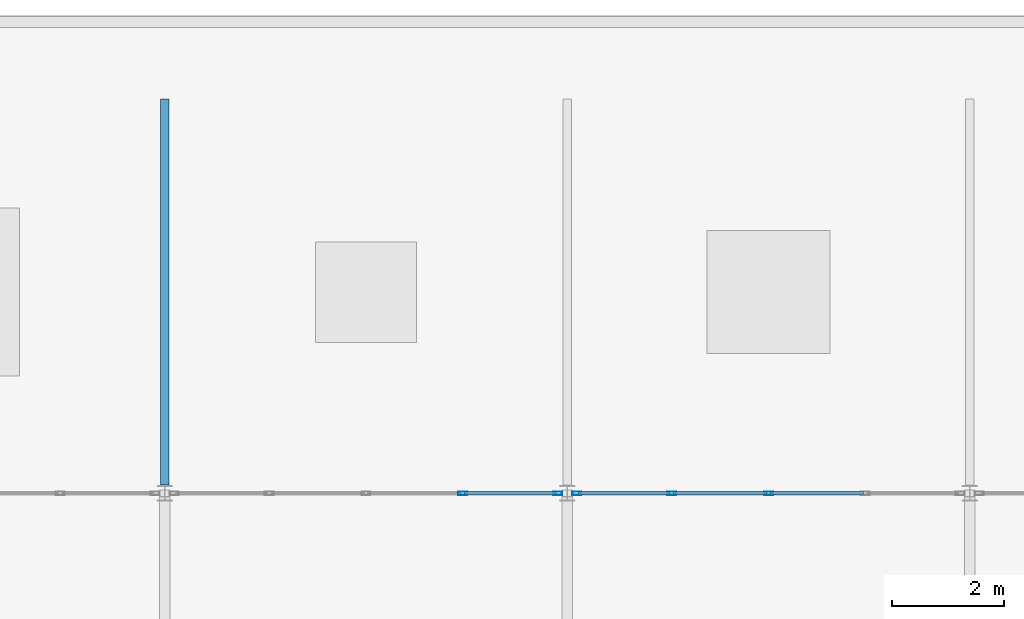
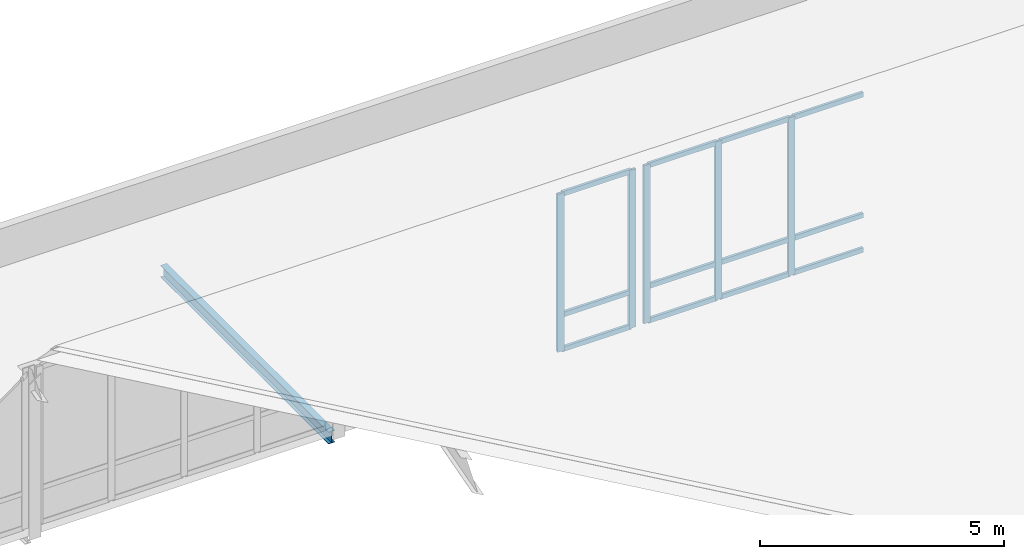
# One storey, part 84 of 157: 17 members, 1 beam, 2 elements without a shape of their own.
"""IFC4 building model written with IfcOpenShell, lengths in metres."""

import ifcopenshell
import ifcopenshell.guid

model = None  # the IFC model being written
_history = None  # IfcOwnerHistory: only IFC2X3 demands one
_inside = {}  # id of a spatial element -> (the spatial element, [elements in it])
_under = {}  # id of a project, library or spatial element -> (it, [spatial elements below it])
_declared = {}  # id of a project -> (the project, [libraries it declares])
_typed = {}  # id of a type object -> (the type object, [elements of that type])
_made_of = {}  # id of a material, layer set ... -> (it, [elements and type objects made of it])


def new_model(schema):
    """Start an empty IFC model of exactly this schema.

    Asked for "IFC4X3", IfcOpenShell would pick the latest addendum, in which some entities
    have other attributes; the version numbers below select the first issue.
    IFC2X3 requires an IfcOwnerHistory on every rooted entity: one is made here for all.
    """
    global model, _history
    if schema == "IFC4X3":
        model = ifcopenshell.file(schema_version=(4, 3, 0, 0))
    else:
        model = ifcopenshell.file(schema=schema)
    _inside.clear()
    _under.clear()
    _declared.clear()
    _typed.clear()
    _made_of.clear()
    _history = None
    if model.schema == "IFC2X3":
        org = make("IfcOrganization", Name="unknown")
        user = make(
            "IfcPersonAndOrganization",
            ThePerson=make("IfcPerson", FamilyName="unknown"),
            TheOrganization=org,
        )
        app = make(
            "IfcApplication",
            ApplicationDeveloper=org,
            Version="unknown",
            ApplicationFullName="unknown",
            ApplicationIdentifier="unknown",
        )
        _history = make(
            "IfcOwnerHistory",
            OwningUser=user,
            OwningApplication=app,
            ChangeAction="ADDED",
            CreationDate=0,
        )
    return model


def make(cls, **values):
    """One entity of the class cls with the attributes given. An attribute that is None is left unset."""
    return model.create_entity(
        cls, **{name: value for name, value in values.items() if value is not None}
    )


def rooted(cls, **values):
    """An entity with a GlobalId (a new one), such as an element, a storey or a relation."""
    return make(cls, GlobalId=ifcopenshell.guid.new(), OwnerHistory=_history, **values)


def si_unit(unit_type, name, prefix=None):
    """IfcSIUnit, for example si_unit("LENGTHUNIT", "METRE", prefix="MILLI")."""
    return make("IfcSIUnit", UnitType=unit_type, Prefix=prefix, Name=name)


def assignment(units):
    """IfcUnitAssignment: the units of a project."""
    return None if units is None else make("IfcUnitAssignment", Units=units)


def point(xyz):
    """IfcCartesianPoint."""
    return None if xyz is None else make("IfcCartesianPoint", Coordinates=xyz)


def direction(xyz):
    """IfcDirection."""
    return None if xyz is None else make("IfcDirection", DirectionRatios=xyz)


def frame(location, z_axis=None, x_axis=None):
    """IfcAxis2Placement3D, a coordinate frame: its origin and axes. An axis left out is left unset."""
    return make(
        "IfcAxis2Placement3D",
        Location=point(location),
        Axis=direction(z_axis),
        RefDirection=direction(x_axis),
    )


def frame_2d(location, x_axis=None):
    """IfcAxis2Placement2D, a coordinate frame in the plane: its origin and x axis."""
    return make(
        "IfcAxis2Placement2D", Location=point(location), RefDirection=direction(x_axis)
    )


def origin():
    """The frame at (0, 0, 0) with its axes left unset."""
    return frame((0.0, 0.0, 0.0))


def origin_2d():
    """The frame at (0, 0) in the plane with its x axis left unset."""
    return frame_2d((0.0, 0.0))


def place(relative_to, where):
    """IfcLocalPlacement: puts the frame where relative to a parent placement (None: the world)."""
    return make(
        "IfcLocalPlacement", PlacementRelTo=relative_to, RelativePlacement=where
    )


def context(
    kind, dimensions, precision=None, world=None, true_north=None, identifier=None
):
    """IfcGeometricRepresentationContext, for example the 3D "Model" context."""
    return make(
        "IfcGeometricRepresentationContext",
        ContextIdentifier=identifier,
        ContextType=kind,
        CoordinateSpaceDimension=dimensions,
        Precision=precision,
        WorldCoordinateSystem=world,
        TrueNorth=true_north,
    )


def subcontext(parent, identifier, kind, view, scale=None):
    """IfcGeometricRepresentationSubContext, for example "Body" below "Model"."""
    return make(
        "IfcGeometricRepresentationSubContext",
        ContextIdentifier=identifier,
        ContextType=kind,
        ParentContext=parent,
        TargetScale=scale,
        TargetView=view,
    )


def project(units=None, contexts=None):
    """IfcProject with its units and contexts."""
    return rooted(
        "IfcProject",
        Name="project",
        RepresentationContexts=contexts,
        UnitsInContext=assignment(units),
    )


def spatial(cls, under=None, at=None, **own):
    """A site, building, storey or space (cls), placed at a placement, below another one or the project."""
    s = rooted(cls, ObjectPlacement=at, **own)
    if under is not None:
        _under.setdefault(under.id(), (under, []))[1].append(s)
    return s


def profile(cls, at=None, kind="AREA", **sizes):
    """A parametric profile (cls). Its sizes go by their IFC names, for example OverallWidth=200.0."""
    return make(cls, ProfileType=kind, Position=at, **sizes)


def hollow_rectangle(**sizes):
    """IfcRectangleHollowProfileDef."""
    return profile("IfcRectangleHollowProfileDef", **sizes)


def i_section(**sizes):
    """IfcIShapeProfileDef."""
    return profile("IfcIShapeProfileDef", **sizes)


def extrude(swept, where, along, depth):
    """IfcExtrudedAreaSolid: the profile swept, set in the frame where, extruded along a direction by depth."""
    return make(
        "IfcExtrudedAreaSolid",
        SweptArea=swept,
        Position=where,
        ExtrudedDirection=direction(along),
        Depth=depth,
    )


def shape(context_of_items, identifier, shape_type, items):
    """IfcShapeRepresentation: the items that make up one representation, for example the "Body"."""
    return make(
        "IfcShapeRepresentation",
        ContextOfItems=context_of_items,
        RepresentationIdentifier=identifier,
        RepresentationType=shape_type,
        Items=items,
    )


def material(Name=None, Category=None):
    """IfcMaterial."""
    return make("IfcMaterial", Name=Name, Category=Category)


def material_profile(
    of_material, cross_section, Name=None, Category=None, Priority=None
):
    """IfcMaterialProfile: a cross section and its material."""
    return make(
        "IfcMaterialProfile",
        Name=Name,
        Material=of_material,
        Profile=cross_section,
        Priority=Priority,
        Category=Category,
    )


def profile_set(profiles, Name=None, composite=None):
    """IfcMaterialProfileSet."""
    return make(
        "IfcMaterialProfileSet",
        Name=Name,
        MaterialProfiles=profiles,
        CompositeProfile=composite,
    )


def made_of(thing, what):
    """Note that an element or type object is made of a material, layer set ...; save() writes the relation."""
    if what is not None:
        _made_of.setdefault(what.id(), (what, []))[1].append(thing)
    return thing


def type_object(cls, material=None, **own):
    """A type object (cls), such as IfcWallType, which elements share."""
    return made_of(rooted(cls, **own), material)


def element(
    cls,
    number,
    at=None,
    inside=None,
    cuts=None,
    type_object=None,
    material=None,
    context=None,
    identifier="Body",
    shape_type=None,
    held_by="IfcProductDefinitionShape",
    body=None,
    shapes=None,
    **own,
):
    """One element of the class cls, such as IfcWall. Its Tag is "e" and its number.

    at: its placement. inside: the storey or other place that contains it. cuts: it is an
    opening in that element (IfcRelVoidsElement). A single representation is given by context,
    identifier, shape_type and body (its items); several are given by shapes. held_by: the class
    of the entity that holds the representations. save() writes the other relations.
    """
    e = rooted(cls, Tag="e%d" % number, ObjectPlacement=at, **own)
    if body is not None:
        shapes = [shape(context, identifier, shape_type, body)]
    if shapes is not None:
        e.Representation = make(held_by, Representations=shapes)
    if inside is not None:
        _inside.setdefault(inside.id(), (inside, []))[1].append(e)
    if cuts is not None:
        rooted(
            "IfcRelVoidsElement", RelatingBuildingElement=cuts, RelatedOpeningElement=e
        )
    if type_object is not None:
        _typed.setdefault(type_object.id(), (type_object, []))[1].append(e)
    return made_of(e, material)


def aggregate(whole, parts):
    """IfcRelAggregates: a whole, such as a stair, and the parts it consists of."""
    return rooted("IfcRelAggregates", RelatingObject=whole, RelatedObjects=parts)


def save(model, path):
    """Write the relations noted so far, then the file.

    IfcRelAggregates (storeys below a building ...), IfcRelContainedInSpatialStructure (elements
    in a storey), IfcRelDefinesByType, IfcRelAssociatesMaterial and IfcRelDeclares: one each for
    every whole, place, type object, material and project.
    """
    for whole, parts in _under.values():
        aggregate(whole, parts)
    for where, things in _inside.values():
        rooted(
            "IfcRelContainedInSpatialStructure",
            RelatedElements=things,
            RelatingStructure=where,
        )
    for kind, things in _typed.values():
        rooted("IfcRelDefinesByType", RelatedObjects=things, RelatingType=kind)
    for what, things in _made_of.values():
        rooted("IfcRelAssociatesMaterial", RelatedObjects=things, RelatingMaterial=what)
    for by, libraries in _declared.values():
        rooted("IfcRelDeclares", RelatingContext=by, RelatedDefinitions=libraries)
    model.write(path)


model = new_model("IFC4")

# Units and contexts
model_context = context("Model", 3, precision=1e-05, world=origin(), true_north=direction((0.0, 1.0)))
body_context = subcontext(model_context, "Body", "Model", "MODEL_VIEW")
ifc_project = project(units=[si_unit("LENGTHUNIT", "METRE"), si_unit("AREAUNIT", "SQUARE_METRE"), si_unit("VOLUMEUNIT", "CUBIC_METRE"), si_unit("PLANEANGLEUNIT", "RADIAN"), si_unit("MASSUNIT", "GRAM", prefix="KILO")], contexts=[model_context])

# Site, building, storey
site_placement = place(None, origin())
site = spatial("IfcSite", under=ifc_project, at=site_placement, CompositionType="ELEMENT")
building_placement = place(site_placement, origin())
building = spatial("IfcBuilding", under=site, at=building_placement, Name="Suanplinth Sawtooth Commons", CompositionType="ELEMENT")
storey_placement = place(building_placement, frame((0.0, 0.0, 9.0)))
storey = spatial("IfcBuildingStorey", under=building, at=storey_placement, Name="L02", CompositionType="ELEMENT", Elevation=9.0)

# Beam
ifc_material_1 = material(Name="Steel S355JR", Category="steel")
ifc_material_profile_1 = material_profile(ifc_material_1, i_section(OverallWidth=0.14990234375, OverallDepth=0.300048828125, WebThickness=0.007080078125, FlangeThickness=0.0107421875, at=origin_2d()), Name="IPE 300")
ifc_profile_set_1 = profile_set([ifc_material_profile_1], Name="Steel S355JR")
beam_type = type_object("IfcBeamType", Name="B-13", PredefinedType="BEAM", material=ifc_profile_set_1)
beam_placement = place(storey_placement, frame((144.0, 64.949951171875, -0.14990234375), z_axis=(0.0, 1.0, 0.0), x_axis=(-1.0, 0.0, 0.0)))
element("IfcBeam", 1, at=beam_placement, inside=storey, type_object=beam_type, Name="BMY-L02-NURS-FLAT-20", PredefinedType="BEAM", context=body_context, shape_type="SweptSolid", body=[
    extrude(i_section(OverallWidth=0.14990234375, OverallDepth=0.300048828125, WebThickness=0.007080078125, FlangeThickness=0.0107421875, at=origin_2d()), origin(), (0.0, 0.0, 1.0), 6.900146484375),
])

# Curtain wall, members
ifc_material_2 = material(Name="Anodized aluminium and low-E glazing", Category="aluminium")
curtain_wall_type = type_object("IfcCurtainWallType", Name="CW-03", PredefinedType="USERDEFINED", material=ifc_material_2)
curtain_wall_1_placement = place(storey_placement, origin())
curtain_wall_1 = element("IfcCurtainWall", 2, at=curtain_wall_1_placement, inside=storey, type_object=curtain_wall_type, Name="Curtain Wall CW-NURS-CLER-20", ObjectType="CURTAIN WALL", PredefinedType="USERDEFINED")
ifc_material_3 = material(Name="Anodized aluminium 6063-T6", Category="aluminium")
ifc_material_profile_2 = material_profile(ifc_material_3, hollow_rectangle(XDim=0.06494140625, YDim=0.159912109375, WallThickness=0.00390625, at=origin_2d()), Name="ALU-MUL 65x160")
ifc_profile_set_2 = profile_set([ifc_material_profile_2], Name="Anodized aluminium 6063-T6")
member_type_1 = type_object("IfcMemberType", Name="M-13", PredefinedType="MULLION", material=ifc_profile_set_2)
member_1_placement = place(storey_placement, frame((149.330078125, 64.800048828125, 0.239990234375), z_axis=(0.0, 0.0, 1.0), x_axis=(0.0, 1.0, 0.0)))
member_1 = element("IfcMember", 3, at=member_1_placement, type_object=member_type_1, Name="CW-03 mullion 4", PredefinedType="MULLION", context=body_context, shape_type="SweptSolid", body=[
    extrude(hollow_rectangle(XDim=0.06494140625, YDim=0.159912109375, WallThickness=0.00390625, at=origin_2d()), origin(), (0.0, 0.0, 1.0), 3.9599609375),
])
member_2_placement = place(storey_placement, frame((151.027587890625, 64.800048828125, 0.239990234375), z_axis=(0.0, 0.0, 1.0), x_axis=(0.0, 1.0, 0.0)))
member_2 = element("IfcMember", 4, at=member_2_placement, type_object=member_type_1, Name="CW-03 mullion 5", PredefinedType="MULLION", context=body_context, shape_type="SweptSolid", body=[
    extrude(hollow_rectangle(XDim=0.06494140625, YDim=0.159912109375, WallThickness=0.00390625, at=origin_2d()), origin(), (0.0, 0.0, 1.0), 3.9599609375),
])

curtain_wall_2_placement = place(storey_placement, origin())
curtain_wall_2 = element("IfcCurtainWall", 5, at=curtain_wall_2_placement, inside=storey, type_object=curtain_wall_type, Name="Curtain Wall CW-NURS-CLER-21", ObjectType="CURTAIN WALL", PredefinedType="USERDEFINED")
member_3_placement = place(storey_placement, frame((151.37255859375, 64.800048828125, 0.239990234375), z_axis=(0.0, 0.0, 1.0), x_axis=(0.0, 1.0, 0.0)))
member_3 = element("IfcMember", 6, at=member_3_placement, type_object=member_type_1, Name="CW-03 mullion 1", PredefinedType="MULLION", context=body_context, shape_type="SweptSolid", body=[
    extrude(hollow_rectangle(XDim=0.06494140625, YDim=0.159912109375, WallThickness=0.00390625, at=origin_2d()), origin(), (0.0, 0.0, 1.0), 3.9599609375),
])
member_4_placement = place(storey_placement, frame((153.070068359375, 64.800048828125, 0.239990234375), z_axis=(0.0, 0.0, 1.0), x_axis=(0.0, 1.0, 0.0)))
member_4 = element("IfcMember", 7, at=member_4_placement, type_object=member_type_1, Name="CW-03 mullion 2", PredefinedType="MULLION", context=body_context, shape_type="SweptSolid", body=[
    extrude(hollow_rectangle(XDim=0.06494140625, YDim=0.159912109375, WallThickness=0.00390625, at=origin_2d()), origin(), (0.0, 0.0, 1.0), 3.9599609375),
])
member_5_placement = place(storey_placement, frame((154.800048828125, 64.800048828125, 0.239990234375), z_axis=(0.0, 0.0, 1.0), x_axis=(0.0, 1.0, 0.0)))
member_5 = element("IfcMember", 8, at=member_5_placement, type_object=member_type_1, Name="CW-03 mullion 3", PredefinedType="MULLION", context=body_context, shape_type="SweptSolid", body=[
    extrude(hollow_rectangle(XDim=0.06494140625, YDim=0.159912109375, WallThickness=0.00390625, at=origin_2d()), origin(), (0.0, 0.0, 1.0), 3.9599609375),
])

# Member
ifc_material_profile_3 = material_profile(ifc_material_3, hollow_rectangle(XDim=0.06494140625, YDim=0.1201171875, WallThickness=0.00390625, at=origin_2d()), Name="ALU-TRN 65x120")
ifc_profile_set_3 = profile_set([ifc_material_profile_3], Name="Anodized aluminium 6063-T6")
member_type_2 = type_object("IfcMemberType", Name="M-15", PredefinedType="USERDEFINED", material=ifc_profile_set_3)
member_6_placement = place(storey_placement, frame((149.362548828125, 64.800048828125, 0.2724609375), z_axis=(1.0, 0.0, 0.0), x_axis=(0.0, 1.0, 0.0)))
member_6 = element("IfcMember", 9, at=member_6_placement, type_object=member_type_2, Name="CW-03 transom 4.1", ObjectType="TRANSOM", PredefinedType="USERDEFINED", context=body_context, shape_type="SweptSolid", body=[
    extrude(hollow_rectangle(XDim=0.06494140625, YDim=0.1201171875, WallThickness=0.00390625, at=origin_2d()), origin(), (0.0, 0.0, 1.0), 1.632568359375),
])

member_7_placement = place(storey_placement, frame((149.362548828125, 64.800048828125, 1.139892578125), z_axis=(1.0, 0.0, 0.0), x_axis=(0.0, 1.0, 0.0)))
member_7 = element("IfcMember", 10, at=member_7_placement, type_object=member_type_2, Name="CW-03 transom 4.2", ObjectType="TRANSOM", PredefinedType="USERDEFINED", context=body_context, shape_type="SweptSolid", body=[
    extrude(hollow_rectangle(XDim=0.06494140625, YDim=0.1201171875, WallThickness=0.00390625, at=origin_2d()), origin(), (0.0, 0.0, 1.0), 1.632568359375),
])

member_8_placement = place(storey_placement, frame((149.362548828125, 64.800048828125, 4.16748046875), z_axis=(1.0, 0.0, 0.0), x_axis=(0.0, 1.0, 0.0)))
member_8 = element("IfcMember", 11, at=member_8_placement, type_object=member_type_2, Name="CW-03 transom 4.3", ObjectType="TRANSOM", PredefinedType="USERDEFINED", context=body_context, shape_type="SweptSolid", body=[
    extrude(hollow_rectangle(XDim=0.06494140625, YDim=0.1201171875, WallThickness=0.00390625, at=origin_2d()), origin(), (0.0, 0.0, 1.0), 1.632568359375),
])

aggregate(curtain_wall_1, [member_1, member_2, member_6, member_7, member_8])

member_9_placement = place(storey_placement, frame((151.405029296875, 64.800048828125, 0.2724609375), z_axis=(1.0, 0.0, 0.0), x_axis=(0.0, 1.0, 0.0)))
member_9 = element("IfcMember", 12, at=member_9_placement, type_object=member_type_2, Name="CW-03 transom 1.1", ObjectType="TRANSOM", PredefinedType="USERDEFINED", context=body_context, shape_type="SweptSolid", body=[
    extrude(hollow_rectangle(XDim=0.06494140625, YDim=0.1201171875, WallThickness=0.00390625, at=origin_2d()), origin(), (0.0, 0.0, 1.0), 1.632568359375),
])

member_10_placement = place(storey_placement, frame((151.405029296875, 64.800048828125, 1.139892578125), z_axis=(1.0, 0.0, 0.0), x_axis=(0.0, 1.0, 0.0)))
member_10 = element("IfcMember", 13, at=member_10_placement, type_object=member_type_2, Name="CW-03 transom 1.2", ObjectType="TRANSOM", PredefinedType="USERDEFINED", context=body_context, shape_type="SweptSolid", body=[
    extrude(hollow_rectangle(XDim=0.06494140625, YDim=0.1201171875, WallThickness=0.00390625, at=origin_2d()), origin(), (0.0, 0.0, 1.0), 1.632568359375),
])

member_11_placement = place(storey_placement, frame((151.405029296875, 64.800048828125, 4.16748046875), z_axis=(1.0, 0.0, 0.0), x_axis=(0.0, 1.0, 0.0)))
member_11 = element("IfcMember", 14, at=member_11_placement, type_object=member_type_2, Name="CW-03 transom 1.3", ObjectType="TRANSOM", PredefinedType="USERDEFINED", context=body_context, shape_type="SweptSolid", body=[
    extrude(hollow_rectangle(XDim=0.06494140625, YDim=0.1201171875, WallThickness=0.00390625, at=origin_2d()), origin(), (0.0, 0.0, 1.0), 1.632568359375),
])

member_12_placement = place(storey_placement, frame((153.1025390625, 64.800048828125, 0.2724609375), z_axis=(1.0, 0.0, 0.0), x_axis=(0.0, 1.0, 0.0)))
member_12 = element("IfcMember", 15, at=member_12_placement, type_object=member_type_2, Name="CW-03 transom 2.1", ObjectType="TRANSOM", PredefinedType="USERDEFINED", context=body_context, shape_type="SweptSolid", body=[
    extrude(hollow_rectangle(XDim=0.06494140625, YDim=0.1201171875, WallThickness=0.00390625, at=origin_2d()), origin(), (0.0, 0.0, 1.0), 1.6650390625),
])

member_13_placement = place(storey_placement, frame((153.1025390625, 64.800048828125, 1.139892578125), z_axis=(1.0, 0.0, 0.0), x_axis=(0.0, 1.0, 0.0)))
member_13 = element("IfcMember", 16, at=member_13_placement, type_object=member_type_2, Name="CW-03 transom 2.2", ObjectType="TRANSOM", PredefinedType="USERDEFINED", context=body_context, shape_type="SweptSolid", body=[
    extrude(hollow_rectangle(XDim=0.06494140625, YDim=0.1201171875, WallThickness=0.00390625, at=origin_2d()), origin(), (0.0, 0.0, 1.0), 1.6650390625),
])

member_14_placement = place(storey_placement, frame((153.1025390625, 64.800048828125, 4.16748046875), z_axis=(1.0, 0.0, 0.0), x_axis=(0.0, 1.0, 0.0)))
member_14 = element("IfcMember", 17, at=member_14_placement, type_object=member_type_2, Name="CW-03 transom 2.3", ObjectType="TRANSOM", PredefinedType="USERDEFINED", context=body_context, shape_type="SweptSolid", body=[
    extrude(hollow_rectangle(XDim=0.06494140625, YDim=0.1201171875, WallThickness=0.00390625, at=origin_2d()), origin(), (0.0, 0.0, 1.0), 1.6650390625),
])

member_15_placement = place(storey_placement, frame((154.83251953125, 64.800048828125, 0.2724609375), z_axis=(1.0, 0.0, 0.0), x_axis=(0.0, 1.0, 0.0)))
member_15 = element("IfcMember", 18, at=member_15_placement, type_object=member_type_2, Name="CW-03 transom 3.1", ObjectType="TRANSOM", PredefinedType="USERDEFINED", context=body_context, shape_type="SweptSolid", body=[
    extrude(hollow_rectangle(XDim=0.06494140625, YDim=0.1201171875, WallThickness=0.00390625, at=origin_2d()), origin(), (0.0, 0.0, 1.0), 1.6650390625),
])

member_16_placement = place(storey_placement, frame((154.83251953125, 64.800048828125, 1.139892578125), z_axis=(1.0, 0.0, 0.0), x_axis=(0.0, 1.0, 0.0)))
member_16 = element("IfcMember", 19, at=member_16_placement, type_object=member_type_2, Name="CW-03 transom 3.2", ObjectType="TRANSOM", PredefinedType="USERDEFINED", context=body_context, shape_type="SweptSolid", body=[
    extrude(hollow_rectangle(XDim=0.06494140625, YDim=0.1201171875, WallThickness=0.00390625, at=origin_2d()), origin(), (0.0, 0.0, 1.0), 1.6650390625),
])

member_17_placement = place(storey_placement, frame((154.83251953125, 64.800048828125, 4.16748046875), z_axis=(1.0, 0.0, 0.0), x_axis=(0.0, 1.0, 0.0)))
member_17 = element("IfcMember", 20, at=member_17_placement, type_object=member_type_2, Name="CW-03 transom 3.3", ObjectType="TRANSOM", PredefinedType="USERDEFINED", context=body_context, shape_type="SweptSolid", body=[
    extrude(hollow_rectangle(XDim=0.06494140625, YDim=0.1201171875, WallThickness=0.00390625, at=origin_2d()), origin(), (0.0, 0.0, 1.0), 1.6650390625),
])

aggregate(curtain_wall_2, [member_3, member_4, member_5, member_9, member_10, member_11, member_12, member_13, member_14, member_15, member_16, member_17])

save(model, "model.ifc")
